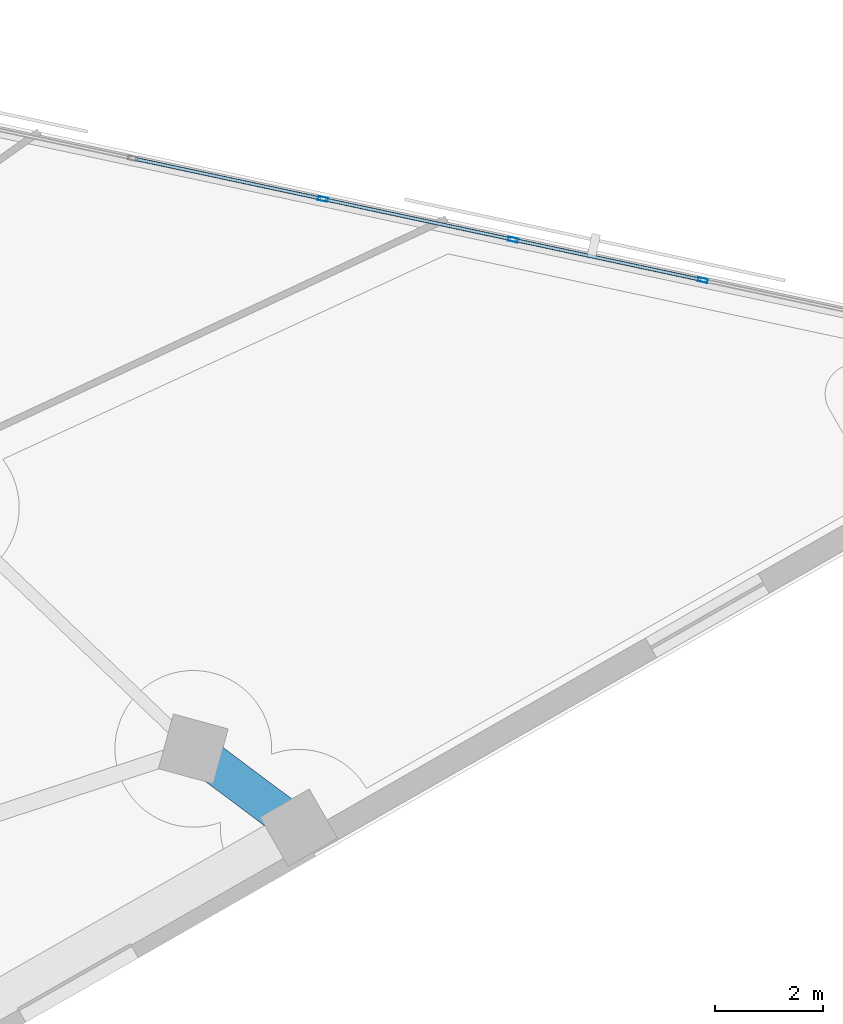
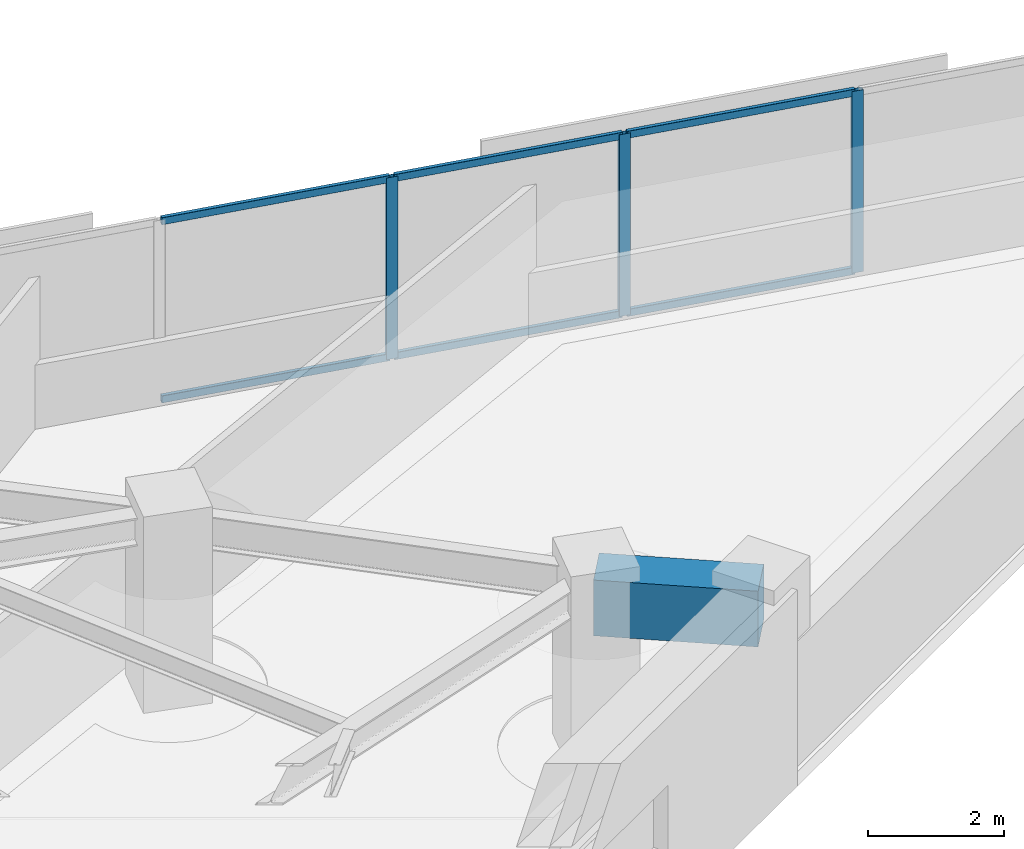
# One storey, part 5 of 14: 9 members, 1 beam, 1 element without a shape of its own.
"""IFC4 building model written with IfcOpenShell, lengths in metres."""

from ifc_helpers import new_model, si_unit, direction, frame, origin, origin_2d, place, context, subcontext, project, spatial, rectangle, hollow_rectangle, extrude, material, material_profile, profile_set, type_object, element, aggregate, save


model = new_model("IFC4")

# Units and contexts
model_context = context("Model", 3, precision=1e-05, world=origin(), true_north=direction((0.0, 1.0)))
body_context = subcontext(model_context, "Body", "Model", "MODEL_VIEW")
ifc_project = project(units=[si_unit("LENGTHUNIT", "METRE"), si_unit("AREAUNIT", "SQUARE_METRE"), si_unit("VOLUMEUNIT", "CUBIC_METRE"), si_unit("PLANEANGLEUNIT", "RADIAN"), si_unit("MASSUNIT", "GRAM", prefix="KILO")], contexts=[model_context])

# Site, building, storey
site_placement = place(None, origin())
site = spatial("IfcSite", under=ifc_project, at=site_placement, CompositionType="ELEMENT")
building_placement = place(site_placement, origin())
building = spatial("IfcBuilding", under=site, at=building_placement, Name="Narakoshi Arena Tower", CompositionType="ELEMENT")
storey_placement = place(building_placement, frame((0.0, 0.0, 207.93994140625)))
storey = spatial("IfcBuildingStorey", under=building, at=storey_placement, Name="L56", CompositionType="ELEMENT", Elevation=207.93994140625)

# Beam
ifc_material_1 = material(Name="Concrete C60/75", Category="concrete")
ifc_material_profile_1 = material_profile(ifc_material_1, rectangle(XDim=0.699951171875, YDim=1.0, at=origin_2d()), Name="RCB700x1000")
ifc_profile_set_1 = profile_set([ifc_material_profile_1], Name="Concrete C60/75")
beam_type = type_object("IfcBeamType", Name="BM-CPL-1000", PredefinedType="BEAM", material=ifc_profile_set_1)
beam_placement = place(storey_placement, frame((104.619873046875, 47.550048828125, 2.760009765625), z_axis=(-0.800768849668, 0.59897349641, 0.0), x_axis=(-0.59897349641, -0.800768849668, 0.0)))
element("IfcBeam", 1, at=beam_placement, inside=storey, type_object=beam_type, Name="L56 Perimeter Edge Girder 03", PredefinedType="BEAM", context=body_context, shape_type="SweptSolid", body=[
    extrude(rectangle(XDim=0.699951171875, YDim=1.0, at=origin_2d()), origin(), (0.0, 0.0, 1.0), 2.4365234375),
])

# Curtain wall, members
ifc_material_2 = material(Name="Anodised bronze aluminium 6063-T6", Category="aluminium")
curtain_wall_type = type_object("IfcCurtainWallType", Name="CW-HYP-MID", PredefinedType="NOTDEFINED", material=ifc_material_2)
curtain_wall_placement = place(storey_placement, origin())
curtain_wall = element("IfcCurtainWall", 2, at=curtain_wall_placement, inside=storey, type_object=curtain_wall_type, Name="L56 Folded Hypotenuse Curtain Wall 1-1", PredefinedType="NOTDEFINED")
ifc_material_profile_2 = material_profile(ifc_material_2, hollow_rectangle(XDim=0.074951171875, YDim=0.179931640625, WallThickness=0.00390625, OuterFilletRadius=0.0048828125, at=origin_2d()), Name="MUL180x75x4")
ifc_profile_set_2 = profile_set([ifc_material_profile_2], Name="Anodised bronze aluminium 6063-T6")
member_type_1 = type_object("IfcMemberType", Name="MEM-MUL-180", PredefinedType="MULLION", material=ifc_profile_set_2)
member_1_placement = place(storey_placement, frame((112.096435546875, 57.680908203125, 0.0), z_axis=(0.0, 0.0, 1.0), x_axis=(-0.208899163248, -0.977937185914, 0.0)))
member_1 = element("IfcMember", 3, at=member_1_placement, type_object=member_type_1, Name="CW-02 mullion 2", PredefinedType="MULLION", context=body_context, shape_type="SweptSolid", body=[
    extrude(hollow_rectangle(XDim=0.074951171875, YDim=0.179931640625, WallThickness=0.00390625, OuterFilletRadius=0.0048828125, at=origin_2d()), origin(), (0.0, 0.0, 1.0), 3.260009765625),
])
member_2_placement = place(storey_placement, frame((108.582275390625, 58.431640625, 0.0), z_axis=(0.0, 0.0, 1.0), x_axis=(-0.208899163248, -0.977937185914, 0.0)))
member_2 = element("IfcMember", 4, at=member_2_placement, type_object=member_type_1, Name="CW-02 mullion 3", PredefinedType="MULLION", context=body_context, shape_type="SweptSolid", body=[
    extrude(hollow_rectangle(XDim=0.074951171875, YDim=0.179931640625, WallThickness=0.00390625, OuterFilletRadius=0.0048828125, at=origin_2d()), origin(), (0.0, 0.0, 1.0), 3.260009765625),
])
member_3_placement = place(storey_placement, frame((105.068115234375, 59.182373046875, 0.0), z_axis=(0.0, 0.0, 1.0), x_axis=(-0.208899163248, -0.977937185914, 0.0)))
member_3 = element("IfcMember", 5, at=member_3_placement, type_object=member_type_1, Name="CW-02 mullion 4", PredefinedType="MULLION", context=body_context, shape_type="SweptSolid", body=[
    extrude(hollow_rectangle(XDim=0.074951171875, YDim=0.179931640625, WallThickness=0.00390625, OuterFilletRadius=0.0048828125, at=origin_2d()), origin(), (0.0, 0.0, 1.0), 3.260009765625),
])
ifc_material_profile_3 = material_profile(ifc_material_2, hollow_rectangle(XDim=0.06494140625, YDim=0.1298828125, WallThickness=0.00390625, OuterFilletRadius=0.0048828125, at=origin_2d()), Name="TRN130x65x4")
ifc_profile_set_3 = profile_set([ifc_material_profile_3], Name="Anodised bronze aluminium 6063-T6")
member_type_2 = type_object("IfcMemberType", Name="MEM-TRN-130", PredefinedType="USERDEFINED", material=ifc_profile_set_3)
member_4_placement = place(storey_placement, frame((112.059814453125, 57.688720703125, 0.032470703125), z_axis=(-0.977932198567, 0.20892250957, 0.0), x_axis=(-0.20892250957, -0.977932198567, 0.0)))
member_4 = element("IfcMember", 6, at=member_4_placement, type_object=member_type_2, Name="CW-02 transom 2.1", ObjectType="TRANSOM", PredefinedType="USERDEFINED", context=body_context, shape_type="SweptSolid", body=[
    extrude(hollow_rectangle(XDim=0.06494140625, YDim=0.1298828125, WallThickness=0.00390625, OuterFilletRadius=0.0048828125, at=origin_2d()), origin(), (0.0, 0.0, 1.0), 3.5185546875),
])
member_5_placement = place(storey_placement, frame((112.059814453125, 57.688720703125, 3.2275390625), z_axis=(-0.977932198567, 0.20892250957, 0.0), x_axis=(-0.20892250957, -0.977932198567, 0.0)))
member_5 = element("IfcMember", 7, at=member_5_placement, type_object=member_type_2, Name="CW-02 transom 2.2", ObjectType="TRANSOM", PredefinedType="USERDEFINED", context=body_context, shape_type="SweptSolid", body=[
    extrude(hollow_rectangle(XDim=0.06494140625, YDim=0.1298828125, WallThickness=0.00390625, OuterFilletRadius=0.0048828125, at=origin_2d()), origin(), (0.0, 0.0, 1.0), 3.5185546875),
])
member_6_placement = place(storey_placement, frame((108.545654296875, 58.439453125, 0.032470703125), z_axis=(-0.977946373003, 0.208856150329, 0.0), x_axis=(-0.208856150329, -0.977946373003, 0.0)))
member_6 = element("IfcMember", 8, at=member_6_placement, type_object=member_type_2, Name="CW-02 transom 3.1", ObjectType="TRANSOM", PredefinedType="USERDEFINED", context=body_context, shape_type="SweptSolid", body=[
    extrude(hollow_rectangle(XDim=0.06494140625, YDim=0.1298828125, WallThickness=0.00390625, OuterFilletRadius=0.0048828125, at=origin_2d()), origin(), (0.0, 0.0, 1.0), 3.5185546875),
])
member_7_placement = place(storey_placement, frame((108.545654296875, 58.439453125, 3.2275390625), z_axis=(-0.977946373003, 0.208856150329, 0.0), x_axis=(-0.208856150329, -0.977946373003, 0.0)))
member_7 = element("IfcMember", 9, at=member_7_placement, type_object=member_type_2, Name="CW-02 transom 3.2", ObjectType="TRANSOM", PredefinedType="USERDEFINED", context=body_context, shape_type="SweptSolid", body=[
    extrude(hollow_rectangle(XDim=0.06494140625, YDim=0.1298828125, WallThickness=0.00390625, OuterFilletRadius=0.0048828125, at=origin_2d()), origin(), (0.0, 0.0, 1.0), 3.5185546875),
])
member_8_placement = place(storey_placement, frame((105.031494140625, 59.190185546875, 0.032470703125), z_axis=(-0.977943345954, 0.208870323659, 0.0), x_axis=(-0.208870323659, -0.977943345954, 0.0)))
member_8 = element("IfcMember", 10, at=member_8_placement, type_object=member_type_2, Name="CW-02 transom 4.1", ObjectType="TRANSOM", PredefinedType="USERDEFINED", context=body_context, shape_type="SweptSolid", body=[
    extrude(hollow_rectangle(XDim=0.06494140625, YDim=0.1298828125, WallThickness=0.00390625, OuterFilletRadius=0.0048828125, at=origin_2d()), origin(), (0.0, 0.0, 1.0), 3.518310546875),
])
member_9_placement = place(storey_placement, frame((105.031494140625, 59.190185546875, 3.2275390625), z_axis=(-0.977943345954, 0.208870323659, 0.0), x_axis=(-0.208870323659, -0.977943345954, 0.0)))
member_9 = element("IfcMember", 11, at=member_9_placement, type_object=member_type_2, Name="CW-02 transom 4.2", ObjectType="TRANSOM", PredefinedType="USERDEFINED", context=body_context, shape_type="SweptSolid", body=[
    extrude(hollow_rectangle(XDim=0.06494140625, YDim=0.1298828125, WallThickness=0.00390625, OuterFilletRadius=0.0048828125, at=origin_2d()), origin(), (0.0, 0.0, 1.0), 3.518310546875),
])
aggregate(curtain_wall, [member_1, member_2, member_3, member_4, member_5, member_6, member_7, member_8, member_9])

save(model, "model.ifc")
